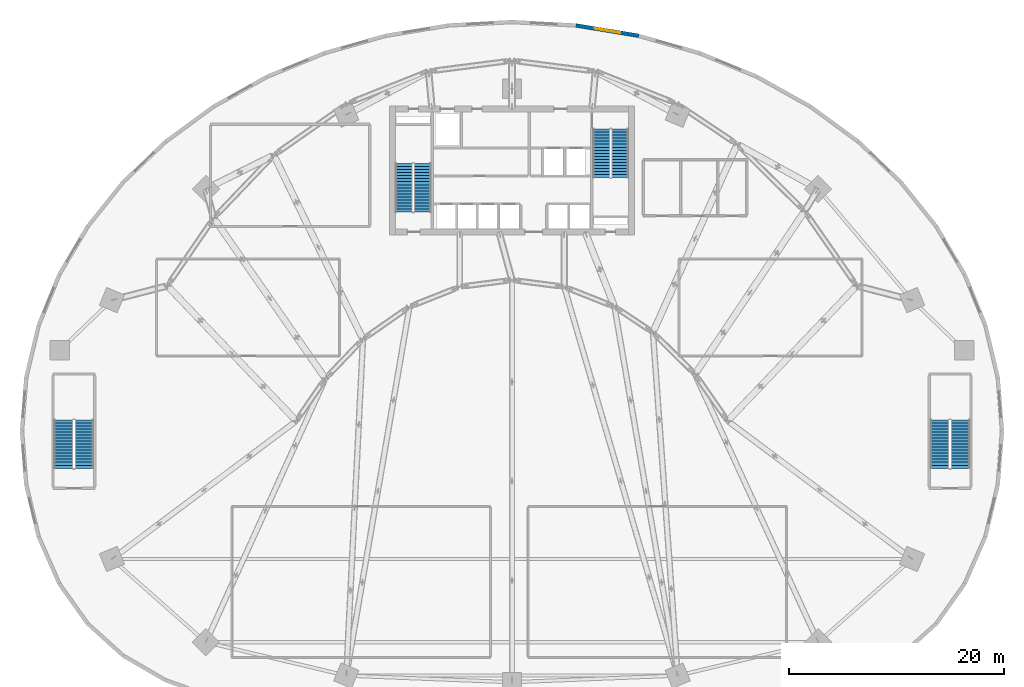
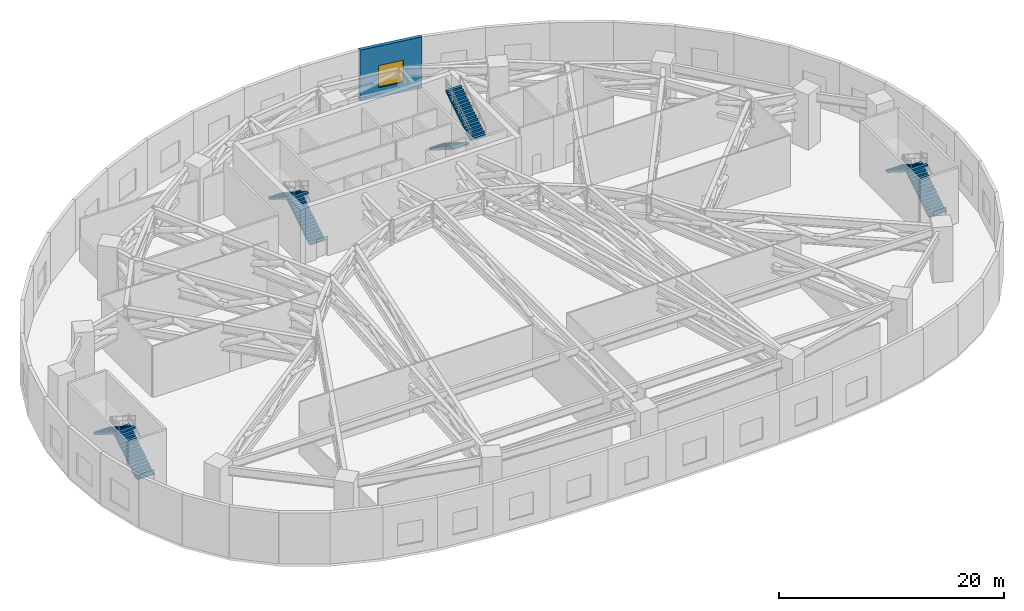
# One storey, part 17 of 19: 8 stair flights, 1 wall, 1 window, 1 opening, 4 elements without a shape of their own.
"""IFC4 building model written with IfcOpenShell, lengths in metres."""

from ifc_helpers import new_model, si_unit, direction, frame, frame_2d, origin, place, context, subcontext, project, spatial, polyline, rectangle, outline, extrude, source, transform, mapped, material, layer, layer_set, type_object, type_shapes, element, fill, aggregate, save


model = new_model("IFC4")

# Units and contexts
model_context = context("Model", 3, precision=1e-05, world=origin(), true_north=direction((0.0, 1.0)))
body_context = subcontext(model_context, "Body", "Model", "MODEL_VIEW")
ifc_project = project(units=[si_unit("LENGTHUNIT", "METRE"), si_unit("AREAUNIT", "SQUARE_METRE"), si_unit("VOLUMEUNIT", "CUBIC_METRE"), si_unit("PLANEANGLEUNIT", "RADIAN"), si_unit("MASSUNIT", "GRAM", prefix="KILO")], contexts=[model_context])

# Site, building, storey
site_placement = place(None, origin())
site = spatial("IfcSite", under=ifc_project, at=site_placement, CompositionType="ELEMENT")
building_placement = place(site_placement, origin())
building = spatial("IfcBuilding", under=site, at=building_placement, Name="Breltana Convention Tower", CompositionType="ELEMENT")
storey_placement = place(building_placement, frame((0.0, 0.0, 24.0)))
storey = spatial("IfcBuildingStorey", under=building, at=storey_placement, Name="L04", CompositionType="ELEMENT", Elevation=24.0)

# Wall, opening, window
ifc_material_1 = material(Name="Limestone Buff Insulated Wall", Category="masonry")
ifc_layer = layer(ifc_material_1, 0.35009765625, Name="Limestone Buff Insulated Wall")
ifc_layer_set = layer_set([ifc_layer], Name="Limestone Buff Insulated Wall")
wall_type = type_object("IfcWallType", Name="WL-EXT-POD-350", PredefinedType="SOLIDWALL", material=ifc_layer_set)
shared_shape_1 = source(origin(), body_context, "Body", "SweptSolid", [
    extrude(rectangle(XDim=5.91748046875, YDim=0.35009765625, at=frame_2d((2.958740234375, 0.0))), origin(), (0.0, 0.0, 1.0), 5.550048828125),
])
wall_placement = place(storey_placement, frame((59.7763671875, 78.705078125, 0.0), z_axis=(0.0, 0.0, 1.0), x_axis=(-0.986480762285, 0.163877105303, 0.0)))
wall = element("IfcWall", 1, at=wall_placement, inside=storey, type_object=wall_type, Name="L04 limestone facade wall 11", PredefinedType="SOLIDWALL", context=body_context, shape_type="MappedRepresentation", body=[
    mapped(shared_shape_1, transform((0.0, 0.0, 0.0), scale=1.0)),
])
opening_placement = place(wall_placement, frame((1.7587890625, 0.0, 1.050048828125)))
opening = element("IfcOpeningElement", 2, at=opening_placement, cuts=wall, Name="Opening W-02", PredefinedType="OPENING", context=body_context, shape_type="SweptSolid", body=[
    extrude(rectangle(XDim=2.39990234375, YDim=2.39990234375, at=frame_2d((1.199951171875, 1.199951171875))), frame((0.0, 0.18505859375, 0.0), z_axis=(0.0, -1.0, 0.0), x_axis=(1.0, 0.0, 0.0)), (0.0, 0.0, 1.0), 0.3701171875),
])
ifc_material_2 = material(Name="Glass Low-E Insulated Window", Category="glass")
window_type = type_object("IfcWindowType", Name="WN-POD-2400X2400", PartitioningType="DOUBLE_PANEL_VERTICAL", PredefinedType="WINDOW", material=ifc_material_2)
shared_shape_2 = source(origin(), body_context, "Body", "SweptSolid", [
    extrude(rectangle(XDim=2.39990234375, YDim=2.39990234375, at=frame_2d((1.199951171875, 1.199951171875))), frame((0.0, 0.030029296875, 0.0), z_axis=(0.0, -1.0, 0.0), x_axis=(1.0, 0.0, 0.0)), (0.0, 0.0, 1.0), 0.06005859375),
])
type_shapes(window_type, [shared_shape_2])
window_placement = place(opening_placement, origin())
window = element("IfcWindow", 3, at=window_placement, inside=storey, type_object=window_type, Name="L04 tripartite window 11.1", OverallHeight=2.39990234375, OverallWidth=2.39990234375, PartitioningType="DOUBLE_PANEL_VERTICAL", PredefinedType="WINDOW", context=body_context, shape_type="MappedRepresentation", body=[
    mapped(shared_shape_2, transform((0.0, 0.0, 0.0), scale=1.0)),
])
fill(opening, window)

# Stair, stair flights
ifc_material_3 = material(Name="Concrete C40/50", Category="concrete")
stair_type_1 = type_object("IfcStairType", Name="ST-DOG-1560-R176", PredefinedType="HALF_TURN_STAIR", material=ifc_material_3)
stair_1_placement = place(storey_placement, origin())
stair_1 = element("IfcStair", 4, at=stair_1_placement, inside=storey, type_object=stair_type_1, Name="L04 Protected Core Exit Stair ST-1", PredefinedType="HALF_TURN_STAIR")
stair_flight_type_1 = type_object("IfcStairFlightType", Name="STF-DOG-1560-N17-R176", PredefinedType="STRAIGHT", material=ifc_material_3)
stair_flight_1_placement = place(storey_placement, frame((39.68994140625, 62.360107421875, 0.0), z_axis=(0.0, 0.0, 1.0), x_axis=(0.0, 1.0, 0.0)))
stair_flight_1 = element("IfcStairFlight", 5, at=stair_flight_1_placement, type_object=stair_flight_type_1, Name="ST-1 flight 1", NumberOfRisers=17, NumberOfTreads=16, PredefinedType="STRAIGHT", RiserHeight=0.176470588, TreadLength=0.28, context=body_context, shape_type="SweptSolid", body=[
    extrude(outline(polyline([(0.0, 0.0), (0.0, 0.176513671875), (0.280029296875, 0.176513671875), (0.280029296875, 0.35302734375), (0.56005859375, 0.35302734375), (0.56005859375, 0.529296875), (0.840087890625, 0.529296875), (0.840087890625, 0.705810546875), (1.1201171875, 0.705810546875), (1.1201171875, 0.88232421875), (1.39990234375, 0.88232421875), (1.39990234375, 1.058837890625), (1.679931640625, 1.058837890625), (1.679931640625, 1.2353515625), (1.9599609375, 1.2353515625), (1.9599609375, 1.411865234375), (2.239990234375, 1.411865234375), (2.239990234375, 1.588134765625), (2.52001953125, 1.588134765625), (2.52001953125, 1.7646484375), (2.800048828125, 1.7646484375), (2.800048828125, 1.941162109375), (3.080078125, 1.941162109375), (3.080078125, 2.11767578125), (3.360107421875, 2.11767578125), (3.360107421875, 2.294189453125), (3.639892578125, 2.294189453125), (3.639892578125, 2.470703125), (3.919921875, 2.470703125), (3.919921875, 2.64697265625), (4.199951171875, 2.64697265625), (4.199951171875, 2.823486328125), (4.47998046875, 2.823486328125), (4.47998046875, 3.0), (4.47998046875, 2.646240234375), (0.28125, 0.0), (0.0, 0.0)])), frame((0.0, 0.780029296875, 0.0), z_axis=(0.0, -1.0, 0.0), x_axis=(1.0, 0.0, 0.0)), (0.0, 0.0, 1.0), 1.56005859375),
])
stair_flight_2_placement = place(storey_placement, frame((37.97998046875, 66.840087890625, 3.0), z_axis=(0.0, 0.0, 1.0), x_axis=(0.0, -1.0, 0.0)))
stair_flight_2 = element("IfcStairFlight", 6, at=stair_flight_2_placement, type_object=stair_flight_type_1, Name="ST-1 flight 2", NumberOfRisers=17, NumberOfTreads=16, PredefinedType="STRAIGHT", RiserHeight=0.176470588, TreadLength=0.28, context=body_context, shape_type="SweptSolid", body=[
    extrude(outline(polyline([(0.0, 0.0), (0.0, 0.176513671875), (0.280029296875, 0.176513671875), (0.280029296875, 0.35302734375), (0.56005859375, 0.35302734375), (0.56005859375, 0.529296875), (0.840087890625, 0.529296875), (0.840087890625, 0.705810546875), (1.1201171875, 0.705810546875), (1.1201171875, 0.88232421875), (1.39990234375, 0.88232421875), (1.39990234375, 1.058837890625), (1.679931640625, 1.058837890625), (1.679931640625, 1.2353515625), (1.9599609375, 1.2353515625), (1.9599609375, 1.411865234375), (2.239990234375, 1.411865234375), (2.239990234375, 1.588134765625), (2.52001953125, 1.588134765625), (2.52001953125, 1.7646484375), (2.800048828125, 1.7646484375), (2.800048828125, 1.941162109375), (3.080078125, 1.941162109375), (3.080078125, 2.11767578125), (3.360107421875, 2.11767578125), (3.360107421875, 2.294189453125), (3.639892578125, 2.294189453125), (3.639892578125, 2.470703125), (3.919921875, 2.470703125), (3.919921875, 2.64697265625), (4.199951171875, 2.64697265625), (4.199951171875, 2.823486328125), (4.47998046875, 2.823486328125), (4.47998046875, 3.0), (4.47998046875, 2.646240234375), (0.28125, 0.0), (0.0, 0.0)])), frame((0.0, 0.780029296875, 0.0), z_axis=(0.0, -1.0, 0.0), x_axis=(1.0, 0.0, 0.0)), (0.0, 0.0, 1.0), 1.56005859375),
])
aggregate(stair_1, [stair_flight_1, stair_flight_2])

stair_2_placement = place(storey_placement, origin())
stair_2 = element("IfcStair", 7, at=stair_2_placement, inside=storey, type_object=stair_type_1, Name="L04 Protected Core Exit Stair ST-2", PredefinedType="HALF_TURN_STAIR")
stair_flight_3_placement = place(storey_placement, frame((56.31005859375, 70.0400390625, 0.0), z_axis=(0.0, 0.0, 1.0), x_axis=(0.0, -1.0, 0.0)))
stair_flight_3 = element("IfcStairFlight", 8, at=stair_flight_3_placement, type_object=stair_flight_type_1, Name="ST-2 flight 1", NumberOfRisers=17, NumberOfTreads=16, PredefinedType="STRAIGHT", RiserHeight=0.176470588, TreadLength=0.28, context=body_context, shape_type="SweptSolid", body=[
    extrude(outline(polyline([(0.0, 0.0), (0.0, 0.176513671875), (0.280029296875, 0.176513671875), (0.280029296875, 0.35302734375), (0.56005859375, 0.35302734375), (0.56005859375, 0.529296875), (0.840087890625, 0.529296875), (0.840087890625, 0.705810546875), (1.1201171875, 0.705810546875), (1.1201171875, 0.88232421875), (1.39990234375, 0.88232421875), (1.39990234375, 1.058837890625), (1.679931640625, 1.058837890625), (1.679931640625, 1.2353515625), (1.9599609375, 1.2353515625), (1.9599609375, 1.411865234375), (2.239990234375, 1.411865234375), (2.239990234375, 1.588134765625), (2.52001953125, 1.588134765625), (2.52001953125, 1.7646484375), (2.800048828125, 1.7646484375), (2.800048828125, 1.941162109375), (3.080078125, 1.941162109375), (3.080078125, 2.11767578125), (3.360107421875, 2.11767578125), (3.360107421875, 2.294189453125), (3.639892578125, 2.294189453125), (3.639892578125, 2.470703125), (3.919921875, 2.470703125), (3.919921875, 2.64697265625), (4.199951171875, 2.64697265625), (4.199951171875, 2.823486328125), (4.47998046875, 2.823486328125), (4.47998046875, 3.0), (4.47998046875, 2.646240234375), (0.28125, 0.0), (0.0, 0.0)])), frame((0.0, 0.780029296875, 0.0), z_axis=(0.0, -1.0, 0.0), x_axis=(1.0, 0.0, 0.0)), (0.0, 0.0, 1.0), 1.56005859375),
])
stair_flight_4_placement = place(storey_placement, frame((58.02001953125, 65.56005859375, 3.0), z_axis=(0.0, 0.0, 1.0), x_axis=(0.0, 1.0, 0.0)))
stair_flight_4 = element("IfcStairFlight", 9, at=stair_flight_4_placement, type_object=stair_flight_type_1, Name="ST-2 flight 2", NumberOfRisers=17, NumberOfTreads=16, PredefinedType="STRAIGHT", RiserHeight=0.176470588, TreadLength=0.28, context=body_context, shape_type="SweptSolid", body=[
    extrude(outline(polyline([(0.0, 0.0), (0.0, 0.176513671875), (0.280029296875, 0.176513671875), (0.280029296875, 0.35302734375), (0.56005859375, 0.35302734375), (0.56005859375, 0.529296875), (0.840087890625, 0.529296875), (0.840087890625, 0.705810546875), (1.1201171875, 0.705810546875), (1.1201171875, 0.88232421875), (1.39990234375, 0.88232421875), (1.39990234375, 1.058837890625), (1.679931640625, 1.058837890625), (1.679931640625, 1.2353515625), (1.9599609375, 1.2353515625), (1.9599609375, 1.411865234375), (2.239990234375, 1.411865234375), (2.239990234375, 1.588134765625), (2.52001953125, 1.588134765625), (2.52001953125, 1.7646484375), (2.800048828125, 1.7646484375), (2.800048828125, 1.941162109375), (3.080078125, 1.941162109375), (3.080078125, 2.11767578125), (3.360107421875, 2.11767578125), (3.360107421875, 2.294189453125), (3.639892578125, 2.294189453125), (3.639892578125, 2.470703125), (3.919921875, 2.470703125), (3.919921875, 2.64697265625), (4.199951171875, 2.64697265625), (4.199951171875, 2.823486328125), (4.47998046875, 2.823486328125), (4.47998046875, 3.0), (4.47998046875, 2.646240234375), (0.28125, 0.0), (0.0, 0.0)])), frame((0.0, 0.780029296875, 0.0), z_axis=(0.0, -1.0, 0.0), x_axis=(1.0, 0.0, 0.0)), (0.0, 0.0, 1.0), 1.56005859375),
])
aggregate(stair_2, [stair_flight_3, stair_flight_4])

stair_type_2 = type_object("IfcStairType", Name="ST-DOG-1760-R176", PredefinedType="HALF_TURN_STAIR", material=ifc_material_3)
stair_3_placement = place(storey_placement, origin())
stair_3 = element("IfcStair", 10, at=stair_3_placement, inside=storey, type_object=stair_type_2, Name="L04 Protected Podium Exit Stair ST-3", PredefinedType="HALF_TURN_STAIR")
stair_flight_type_2 = type_object("IfcStairFlightType", Name="STF-DOG-1760-N17-R176", PredefinedType="STRAIGHT", material=ifc_material_3)
stair_flight_5_placement = place(storey_placement, frame((8.2900390625, 38.56005859375, 0.0), z_axis=(0.0, 0.0, 1.0), x_axis=(0.0, 1.0, 0.0)))
stair_flight_5 = element("IfcStairFlight", 11, at=stair_flight_5_placement, type_object=stair_flight_type_2, Name="ST-3 flight 1", NumberOfRisers=17, NumberOfTreads=16, PredefinedType="STRAIGHT", RiserHeight=0.176470588, TreadLength=0.28, context=body_context, shape_type="SweptSolid", body=[
    extrude(outline(polyline([(0.0, 0.0), (0.0, 0.176513671875), (0.280029296875, 0.176513671875), (0.280029296875, 0.35302734375), (0.56005859375, 0.35302734375), (0.56005859375, 0.529296875), (0.840087890625, 0.529296875), (0.840087890625, 0.705810546875), (1.1201171875, 0.705810546875), (1.1201171875, 0.88232421875), (1.39990234375, 0.88232421875), (1.39990234375, 1.058837890625), (1.679931640625, 1.058837890625), (1.679931640625, 1.2353515625), (1.9599609375, 1.2353515625), (1.9599609375, 1.411865234375), (2.239990234375, 1.411865234375), (2.239990234375, 1.588134765625), (2.52001953125, 1.588134765625), (2.52001953125, 1.7646484375), (2.800048828125, 1.7646484375), (2.800048828125, 1.941162109375), (3.080078125, 1.941162109375), (3.080078125, 2.11767578125), (3.360107421875, 2.11767578125), (3.360107421875, 2.294189453125), (3.639892578125, 2.294189453125), (3.639892578125, 2.470703125), (3.919921875, 2.470703125), (3.919921875, 2.64697265625), (4.199951171875, 2.64697265625), (4.199951171875, 2.823486328125), (4.47998046875, 2.823486328125), (4.47998046875, 3.0), (4.47998046875, 2.646240234375), (0.28125, 0.0), (0.0, 0.0)])), frame((0.0, 0.8798828125, 0.0), z_axis=(0.0, -1.0, 0.0), x_axis=(1.0, 0.0, 0.0)), (0.0, 0.0, 1.0), 1.760009765625),
])
stair_flight_6_placement = place(storey_placement, frame((6.3798828125, 43.0400390625, 3.0), z_axis=(0.0, 0.0, 1.0), x_axis=(0.0, -1.0, 0.0)))
stair_flight_6 = element("IfcStairFlight", 12, at=stair_flight_6_placement, type_object=stair_flight_type_2, Name="ST-3 flight 2", NumberOfRisers=17, NumberOfTreads=16, PredefinedType="STRAIGHT", RiserHeight=0.176470588, TreadLength=0.28, context=body_context, shape_type="SweptSolid", body=[
    extrude(outline(polyline([(0.0, 0.0), (0.0, 0.176513671875), (0.280029296875, 0.176513671875), (0.280029296875, 0.35302734375), (0.56005859375, 0.35302734375), (0.56005859375, 0.529296875), (0.840087890625, 0.529296875), (0.840087890625, 0.705810546875), (1.1201171875, 0.705810546875), (1.1201171875, 0.88232421875), (1.39990234375, 0.88232421875), (1.39990234375, 1.058837890625), (1.679931640625, 1.058837890625), (1.679931640625, 1.2353515625), (1.9599609375, 1.2353515625), (1.9599609375, 1.411865234375), (2.239990234375, 1.411865234375), (2.239990234375, 1.588134765625), (2.52001953125, 1.588134765625), (2.52001953125, 1.7646484375), (2.800048828125, 1.7646484375), (2.800048828125, 1.941162109375), (3.080078125, 1.941162109375), (3.080078125, 2.11767578125), (3.360107421875, 2.11767578125), (3.360107421875, 2.294189453125), (3.639892578125, 2.294189453125), (3.639892578125, 2.470703125), (3.919921875, 2.470703125), (3.919921875, 2.64697265625), (4.199951171875, 2.64697265625), (4.199951171875, 2.823486328125), (4.47998046875, 2.823486328125), (4.47998046875, 3.0), (4.47998046875, 2.646240234375), (0.28125, 0.0), (0.0, 0.0)])), frame((0.0, 0.8798828125, 0.0), z_axis=(0.0, -1.0, 0.0), x_axis=(1.0, 0.0, 0.0)), (0.0, 0.0, 1.0), 1.760009765625),
])
aggregate(stair_3, [stair_flight_5, stair_flight_6])

stair_4_placement = place(storey_placement, origin())
stair_4 = element("IfcStair", 13, at=stair_4_placement, inside=storey, type_object=stair_type_2, Name="L04 Protected Podium Exit Stair ST-4", PredefinedType="HALF_TURN_STAIR")
stair_flight_7_placement = place(storey_placement, frame((89.6201171875, 38.56005859375, 0.0), z_axis=(0.0, 0.0, 1.0), x_axis=(0.0, 1.0, 0.0)))
stair_flight_7 = element("IfcStairFlight", 14, at=stair_flight_7_placement, type_object=stair_flight_type_2, Name="ST-4 flight 1", NumberOfRisers=17, NumberOfTreads=16, PredefinedType="STRAIGHT", RiserHeight=0.176470588, TreadLength=0.28, context=body_context, shape_type="SweptSolid", body=[
    extrude(outline(polyline([(0.0, 0.0), (0.0, 0.176513671875), (0.280029296875, 0.176513671875), (0.280029296875, 0.35302734375), (0.56005859375, 0.35302734375), (0.56005859375, 0.529296875), (0.840087890625, 0.529296875), (0.840087890625, 0.705810546875), (1.1201171875, 0.705810546875), (1.1201171875, 0.88232421875), (1.39990234375, 0.88232421875), (1.39990234375, 1.058837890625), (1.679931640625, 1.058837890625), (1.679931640625, 1.2353515625), (1.9599609375, 1.2353515625), (1.9599609375, 1.411865234375), (2.239990234375, 1.411865234375), (2.239990234375, 1.588134765625), (2.52001953125, 1.588134765625), (2.52001953125, 1.7646484375), (2.800048828125, 1.7646484375), (2.800048828125, 1.941162109375), (3.080078125, 1.941162109375), (3.080078125, 2.11767578125), (3.360107421875, 2.11767578125), (3.360107421875, 2.294189453125), (3.639892578125, 2.294189453125), (3.639892578125, 2.470703125), (3.919921875, 2.470703125), (3.919921875, 2.64697265625), (4.199951171875, 2.64697265625), (4.199951171875, 2.823486328125), (4.47998046875, 2.823486328125), (4.47998046875, 3.0), (4.47998046875, 2.646240234375), (0.28125, 0.0), (0.0, 0.0)])), frame((0.0, 0.8798828125, 0.0), z_axis=(0.0, -1.0, 0.0), x_axis=(1.0, 0.0, 0.0)), (0.0, 0.0, 1.0), 1.760009765625),
])
stair_flight_8_placement = place(storey_placement, frame((87.7099609375, 43.0400390625, 3.0), z_axis=(0.0, 0.0, 1.0), x_axis=(0.0, -1.0, 0.0)))
stair_flight_8 = element("IfcStairFlight", 15, at=stair_flight_8_placement, type_object=stair_flight_type_2, Name="ST-4 flight 2", NumberOfRisers=17, NumberOfTreads=16, PredefinedType="STRAIGHT", RiserHeight=0.176470588, TreadLength=0.28, context=body_context, shape_type="SweptSolid", body=[
    extrude(outline(polyline([(0.0, 0.0), (0.0, 0.176513671875), (0.280029296875, 0.176513671875), (0.280029296875, 0.35302734375), (0.56005859375, 0.35302734375), (0.56005859375, 0.529296875), (0.840087890625, 0.529296875), (0.840087890625, 0.705810546875), (1.1201171875, 0.705810546875), (1.1201171875, 0.88232421875), (1.39990234375, 0.88232421875), (1.39990234375, 1.058837890625), (1.679931640625, 1.058837890625), (1.679931640625, 1.2353515625), (1.9599609375, 1.2353515625), (1.9599609375, 1.411865234375), (2.239990234375, 1.411865234375), (2.239990234375, 1.588134765625), (2.52001953125, 1.588134765625), (2.52001953125, 1.7646484375), (2.800048828125, 1.7646484375), (2.800048828125, 1.941162109375), (3.080078125, 1.941162109375), (3.080078125, 2.11767578125), (3.360107421875, 2.11767578125), (3.360107421875, 2.294189453125), (3.639892578125, 2.294189453125), (3.639892578125, 2.470703125), (3.919921875, 2.470703125), (3.919921875, 2.64697265625), (4.199951171875, 2.64697265625), (4.199951171875, 2.823486328125), (4.47998046875, 2.823486328125), (4.47998046875, 3.0), (4.47998046875, 2.646240234375), (0.28125, 0.0), (0.0, 0.0)])), frame((0.0, 0.8798828125, 0.0), z_axis=(0.0, -1.0, 0.0), x_axis=(1.0, 0.0, 0.0)), (0.0, 0.0, 1.0), 1.760009765625),
])
aggregate(stair_4, [stair_flight_7, stair_flight_8])

save(model, "model.ifc")
